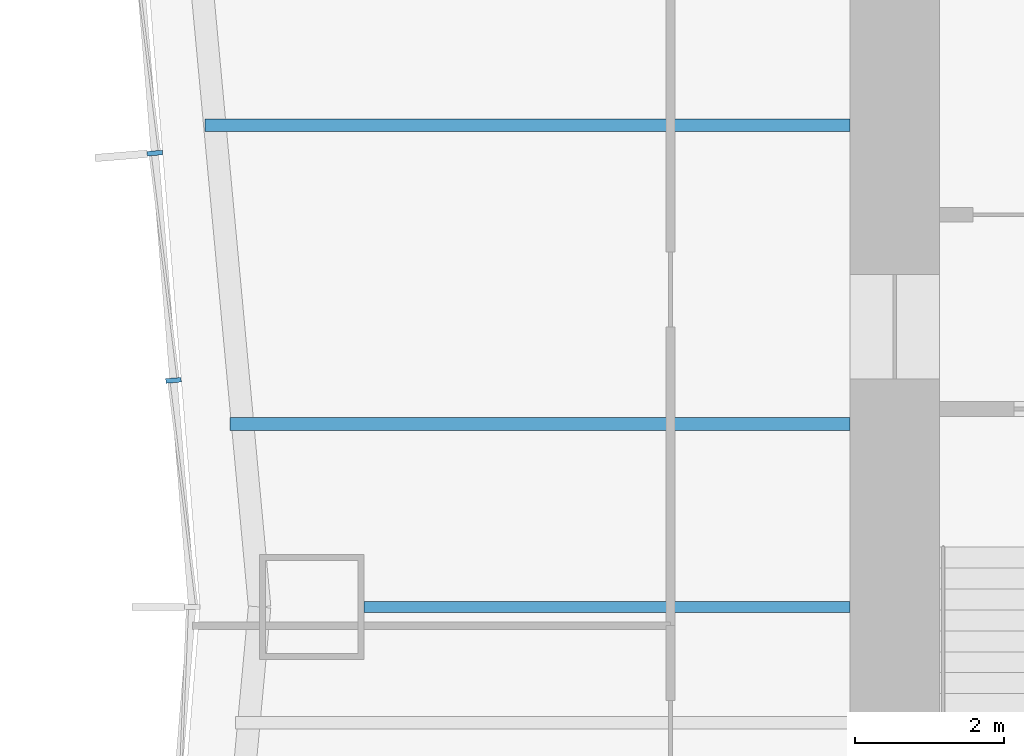
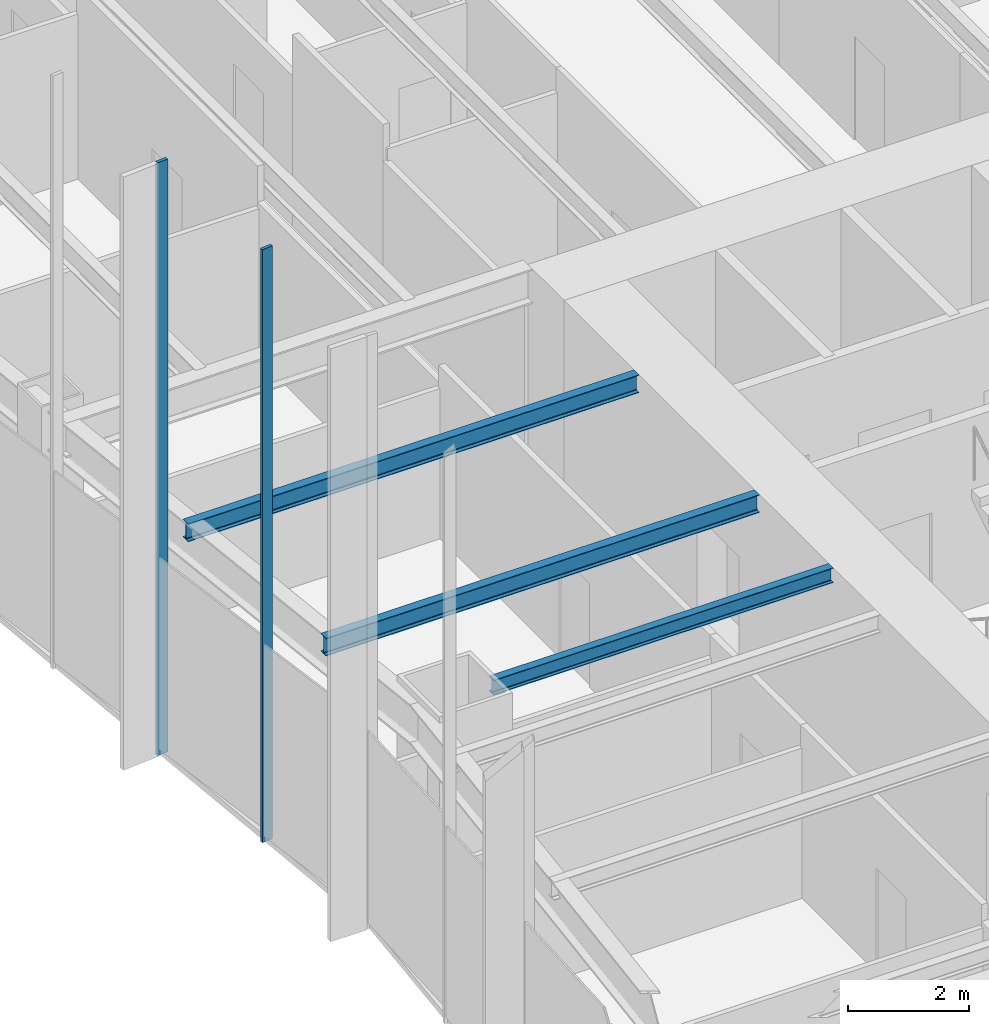
# One storey, part 3 of 13: 3 beams, 2 members, 1 element without a shape of its own.
"""IFC4 building model written with IfcOpenShell, lengths in metres."""

from ifc_helpers import new_model, si_unit, direction, frame, origin, origin_2d, place, context, subcontext, project, spatial, rectangle, i_section, extrude, material, material_profile, profile_set, type_object, element, aggregate, save


model = new_model("IFC4")

# Units and contexts
model_context = context("Model", 3, precision=1e-05, world=origin(), true_north=direction((0.0, 1.0)))
body_context = subcontext(model_context, "Body", "Model", "MODEL_VIEW")
ifc_project = project(units=[si_unit("LENGTHUNIT", "METRE"), si_unit("AREAUNIT", "SQUARE_METRE"), si_unit("VOLUMEUNIT", "CUBIC_METRE"), si_unit("PLANEANGLEUNIT", "RADIAN"), si_unit("MASSUNIT", "GRAM", prefix="KILO")], contexts=[model_context])

# Site, building, storey
site_placement = place(None, origin())
site = spatial("IfcSite", under=ifc_project, at=site_placement, CompositionType="ELEMENT")
building_placement = place(site_placement, origin())
building = spatial("IfcBuilding", under=site, at=building_placement, Name="Verdant Reach Tower", CompositionType="ELEMENT")
storey_placement = place(building_placement, frame((0.0, 0.0, 70.0)))
storey = spatial("IfcBuildingStorey", under=building, at=storey_placement, Name="L15", CompositionType="ELEMENT", Elevation=70.0)

# Curtain wall, members
ifc_material_1 = material(Name="Anodised aluminium", Category="aluminium")
curtain_wall_type = type_object("IfcCurtainWallType", Name="EN-CW SYSTEM Z1", PredefinedType="NOTDEFINED", material=ifc_material_1)
curtain_wall_placement = place(storey_placement, origin())
curtain_wall = element("IfcCurtainWall", 1, at=curtain_wall_placement, inside=storey, type_object=curtain_wall_type, Name="Curtain wall west, L15", PredefinedType="NOTDEFINED")
ifc_material_profile_1 = material_profile(ifc_material_1, rectangle(XDim=0.2060546875, YDim=0.06201171875, at=origin_2d()), Name="Mullion 62x206")
ifc_profile_set_1 = profile_set([ifc_material_profile_1], Name="Anodised aluminium")
member_type = type_object("IfcMemberType", Name="EN-MULLION Z1", PredefinedType="MULLION", material=ifc_profile_set_1)
member_1_placement = place(storey_placement, frame((-23.1025390625, 34.824951171875, -0.35009765625), z_axis=(0.0, 0.0, 1.0), x_axis=(-0.996639273542, -0.081915556724, 0.0)))
member_1 = element("IfcMember", 2, at=member_1_placement, type_object=member_type, Name="Mullion west face part 1 5, L15", PredefinedType="MULLION", context=body_context, shape_type="SweptSolid", body=[
    extrude(rectangle(XDim=0.2060546875, YDim=0.06201171875, at=origin_2d()), origin(), (0.0, 0.0, 1.0), 12.0),
])
member_2_placement = place(storey_placement, frame((-22.8525390625, 31.783203125, -0.35009765625), z_axis=(0.0, 0.0, 1.0), x_axis=(-0.996639273542, -0.081915556724, 0.0)))
member_2 = element("IfcMember", 3, at=member_2_placement, type_object=member_type, Name="Mullion west face part 1 6, L15", PredefinedType="MULLION", context=body_context, shape_type="SweptSolid", body=[
    extrude(rectangle(XDim=0.2060546875, YDim=0.06201171875, at=origin_2d()), origin(), (0.0, 0.0, 1.0), 12.0),
])
aggregate(curtain_wall, [member_1, member_2])

# Beams
ifc_material_2 = material(Name="Steel S355", Category="steel")
ifc_material_profile_2 = material_profile(ifc_material_2, i_section(OverallWidth=0.14990234375, OverallDepth=0.300048828125, WebThickness=0.007080078125, FlangeThickness=0.0107421875, FilletRadius=0.014892578125, at=origin_2d()), Name="IPE 300")
ifc_profile_set_2 = profile_set([ifc_material_profile_2], Name="Steel S355")
beam_type_1 = type_object("IfcBeamType", Name="ST-JOIST-IPE300", PredefinedType="JOIST", material=ifc_profile_set_2)
beam_1_placement = place(storey_placement, frame((-13.800048828125, 28.75, 3.719970703125), z_axis=(-1.0, 0.0, 0.0), x_axis=(0.0, -1.0, 0.0)))
element("IfcBeam", 4, at=beam_1_placement, inside=storey, type_object=beam_type_1, Name="Floor joist, L15", PredefinedType="JOIST", context=body_context, shape_type="SweptSolid", body=[
    extrude(i_section(OverallWidth=0.14990234375, OverallDepth=0.300048828125, WebThickness=0.007080078125, FlangeThickness=0.0107421875, FilletRadius=0.014892578125, at=origin_2d()), origin(), (0.0, 0.0, 1.0), 6.5),
])
ifc_material_profile_3 = material_profile(ifc_material_2, i_section(OverallWidth=0.169921875, OverallDepth=0.360107421875, WebThickness=0.008056640625, FlangeThickness=0.0126953125, FilletRadius=0.01806640625, at=origin_2d()), Name="IPE 360")
ifc_profile_set_3 = profile_set([ifc_material_profile_3], Name="Steel S355")
beam_type_2 = type_object("IfcBeamType", Name="ST-JOIST-IPE360", PredefinedType="JOIST", material=ifc_profile_set_3)
beam_2_placement = place(storey_placement, frame((-13.800048828125, 31.199951171875, 3.68994140625), z_axis=(-1.0, 0.0, 0.0), x_axis=(0.0, -1.0, 0.0)))
element("IfcBeam", 5, at=beam_2_placement, inside=storey, type_object=beam_type_2, Name="Floor joist, L15", PredefinedType="JOIST", context=body_context, shape_type="SweptSolid", body=[
    extrude(i_section(OverallWidth=0.169921875, OverallDepth=0.360107421875, WebThickness=0.008056640625, FlangeThickness=0.0126953125, FilletRadius=0.01806640625, at=origin_2d()), origin(), (0.0, 0.0, 1.0), 8.29931640625),
])
beam_3_placement = place(storey_placement, frame((-13.800048828125, 35.199951171875, 3.68994140625), z_axis=(-1.0, 0.0, 0.0), x_axis=(0.0, -1.0, 0.0)))
element("IfcBeam", 6, at=beam_3_placement, inside=storey, type_object=beam_type_2, Name="Floor joist, L15", PredefinedType="JOIST", context=body_context, shape_type="SweptSolid", body=[
    extrude(i_section(OverallWidth=0.169921875, OverallDepth=0.360107421875, WebThickness=0.008056640625, FlangeThickness=0.0126953125, FilletRadius=0.01806640625, at=origin_2d()), origin(), (0.0, 0.0, 1.0), 8.6279296875),
])

save(model, "model.ifc")
